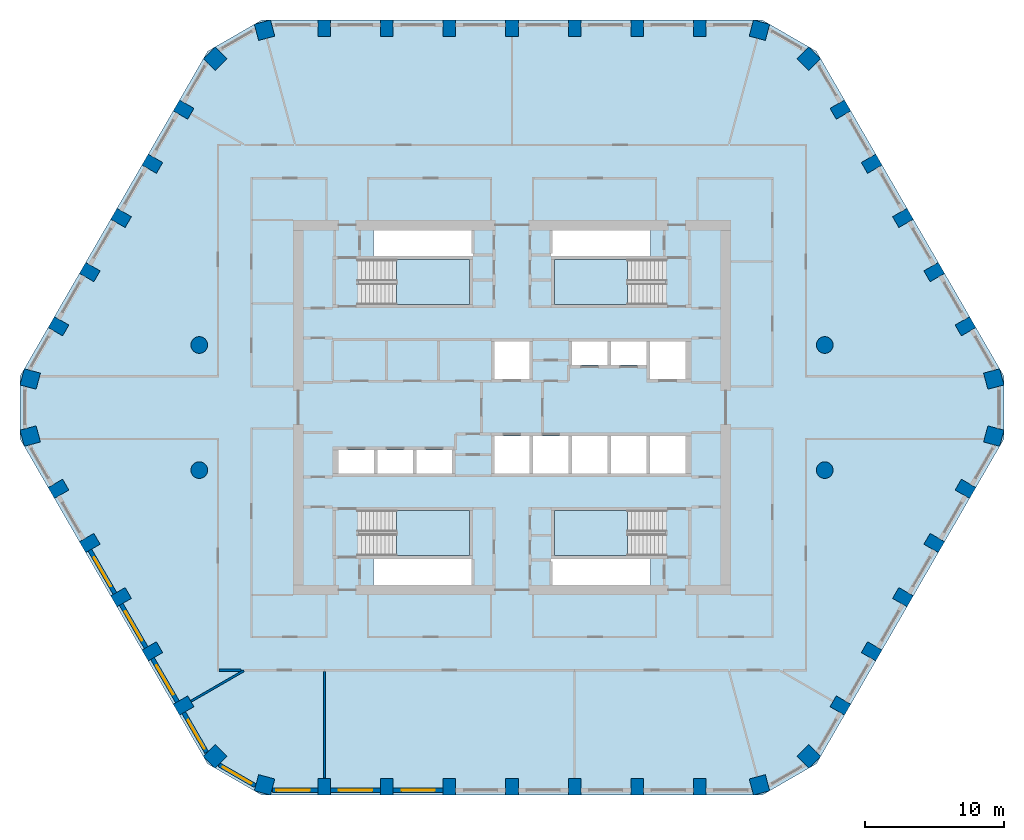
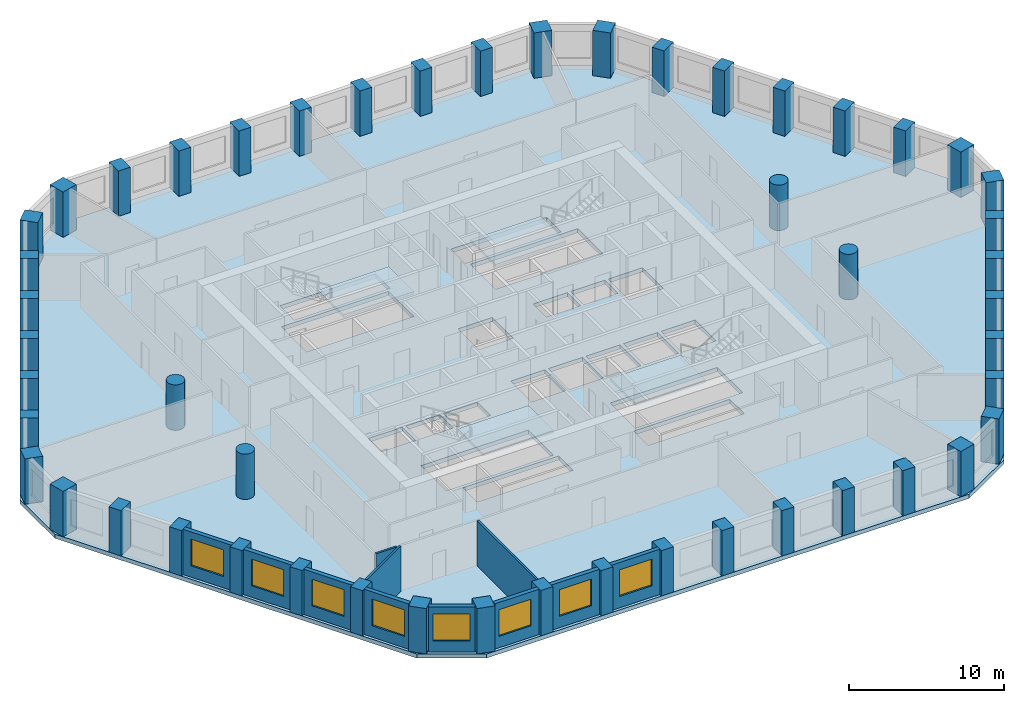
# One storey, part 1 of 10: 50 columns, 11 walls, 8 windows, 5 slabs, 8 openings, 4 elements without a shape of their own.
"""IFC4 building model written with IfcOpenShell, lengths in metres."""

from ifc_helpers import new_model, si_unit, direction, frame, frame_2d, origin, origin_2d, place, context, subcontext, project, spatial, polyline, rectangle, circle, outline, extrude, material, layer, layer_set, material_profile, profile_set, type_object, element, fill, aggregate, save


model = new_model("IFC4")

# Units and contexts
model_context = context("Model", 3, precision=1e-05, world=origin(), true_north=direction((0.0, 1.0)))
body_context = subcontext(model_context, "Body", "Model", "MODEL_VIEW")
ifc_project = project(units=[si_unit("LENGTHUNIT", "METRE"), si_unit("AREAUNIT", "SQUARE_METRE"), si_unit("VOLUMEUNIT", "CUBIC_METRE"), si_unit("PLANEANGLEUNIT", "RADIAN"), si_unit("MASSUNIT", "GRAM", prefix="KILO")], contexts=[model_context])

# Site, building, storey
site_placement = place(None, origin())
site = spatial("IfcSite", under=ifc_project, at=site_placement, CompositionType="ELEMENT")
building_placement = place(site_placement, origin())
building = spatial("IfcBuilding", under=site, at=building_placement, Name="Dhurran Vertical Campus", CompositionType="ELEMENT")
storey_placement = place(building_placement, frame((0.0, 0.0, 144.300048828125)))
storey = spatial("IfcBuildingStorey", under=building, at=storey_placement, Name="L35", CompositionType="ELEMENT", Elevation=144.300048828125)

# Columns
ifc_material_1 = material(Name="Concrete C60/75", Category="concrete")
ifc_material_profile_1 = material_profile(ifc_material_1, rectangle(XDim=1.199951171875, YDim=1.199951171875, at=origin_2d()), Name="RC 1200x1200")
ifc_profile_set_1 = profile_set([ifc_material_profile_1], Name="Concrete C60/75")
column_type_1 = type_object("IfcColumnType", Name="FR COL RC 1200x1200 C60/75", PredefinedType="COLUMN", material=ifc_profile_set_1)
for number, where, z_axis, x_axis, name in (
    (1, (-17.802978515625, -27.147705078125, 0.0), (0.0, 0.0, 1.0), (0.965925826289, -0.258819045103, 0.0), "Perimeter pier PP3.00"),
    (2, (17.802978515625, -27.147705078125, 0.0), (0.0, 0.0, 1.0), (0.965925826289, 0.258819045103, 0.0), "Perimeter pier PP3.08"),
    (3, (21.359130859375, -25.0947265625, 0.0), (0.0, 0.0, 1.0), (0.707106781187, 0.707106781187, 0.0), "Perimeter pier PP3.09"),
    (4, (34.662353515625, -2.052978515625, 0.0), (0.0, 0.0, 1.0), (0.258819045103, 0.965925826289, 0.0), "Perimeter pier PP3.15"),
    (5, (34.662353515625, 2.052978515625, 0.0), (0.0, 0.0, 1.0), (-0.258819045103, 0.965925826289, 0.0), "Perimeter pier PP3.16"),
    (6, (21.359130859375, 25.0947265625, 0.0), (0.0, 0.0, 1.0), (-0.707106781187, 0.707106781187, 0.0), "Perimeter pier PP3.22"),
    (7, (17.802978515625, 27.147705078125, 0.0), (0.0, 0.0, 1.0), (-0.965925826289, 0.258819045103, 0.0), "Perimeter pier PP3.23"),
    (8, (-17.802978515625, 27.147705078125, 0.0), (0.0, 0.0, 1.0), (-0.965925826289, -0.258819045103, 0.0), "Perimeter pier PP3.31"),
    (9, (-21.359130859375, 25.0947265625, 0.0), (0.0, 0.0, 1.0), (-0.707106781187, -0.707106781187, 0.0), "Perimeter pier PP3.32"),
    (10, (-34.662353515625, 2.052978515625, 0.0), (0.0, 0.0, 1.0), (-0.258819045103, -0.965925826289, 0.0), "Perimeter pier PP3.38"),
    (11, (-34.662353515625, -2.052978515625, 0.0), (0.0, 0.0, 1.0), (0.258819045103, -0.965925826289, 0.0), "Perimeter pier PP3.39"),
    (12, (-21.359130859375, -25.0947265625, 0.0), (0.0, 0.0, 1.0), (0.707106781187, -0.707106781187, 0.0), "Perimeter pier PP3.45"),
):
    element("IfcColumn", number, at=place(storey_placement, frame(where, z_axis=z_axis, x_axis=x_axis)), inside=storey, type_object=column_type_1, Name=name, PredefinedType="COLUMN", context=body_context, shape_type="SweptSolid", body=[
        extrude(rectangle(XDim=1.199951171875, YDim=1.199951171875, at=origin_2d()), origin(), (0.0, 0.0, 1.0), 3.574951171875),
    ])
ifc_material_2 = material(Name="Concrete C60/75", Category="concrete")
ifc_material_profile_2 = material_profile(ifc_material_2, rectangle(XDim=0.89990234375, YDim=1.199951171875, at=origin_2d()), Name="RC 900x1200")
ifc_profile_set_2 = profile_set([ifc_material_profile_2], Name="Concrete C60/75")
column_type_2 = type_object("IfcColumnType", Name="FR COL RC 900x1200 C60/75", PredefinedType="COLUMN", material=ifc_profile_set_2)
for number, where, z_axis, x_axis, name in (
    (13, (-13.5, -27.28271484375, 0.0), (0.0, 0.0, 1.0), (1.0, 0.0, 0.0), "Perimeter pier PP3.01"),
    (14, (-9.0, -27.28271484375, 0.0), (0.0, 0.0, 1.0), (1.0, 0.0, 0.0), "Perimeter pier PP3.02"),
    (15, (-4.5, -27.28271484375, 0.0), (0.0, 0.0, 1.0), (1.0, 0.0, 0.0), "Perimeter pier PP3.03"),
    (16, (0.0, -27.28271484375, 0.0), (0.0, 0.0, 1.0), (1.0, 0.0, 0.0), "Perimeter pier PP3.04"),
    (17, (4.5, -27.28271484375, 0.0), (0.0, 0.0, 1.0), (1.0, 0.0, 0.0), "Perimeter pier PP3.05"),
    (18, (9.0, -27.28271484375, 0.0), (0.0, 0.0, 1.0), (1.0, 0.0, 0.0), "Perimeter pier PP3.06"),
    (19, (13.5, -27.28271484375, 0.0), (0.0, 0.0, 1.0), (1.0, 0.0, 0.0), "Perimeter pier PP3.07"),
    (20, (23.62744140625, -21.435546875, 0.0), (0.0, 0.0, 1.0), (0.5, 0.866025403784, 0.0), "Perimeter pier PP3.10"),
    (21, (25.87744140625, -17.53857421875, 0.0), (0.0, 0.0, 1.0), (0.5, 0.866025403784, 0.0), "Perimeter pier PP3.11"),
    (22, (28.12744140625, -13.641357421875, 0.0), (0.0, 0.0, 1.0), (0.5, 0.866025403784, 0.0), "Perimeter pier PP3.12"),
    (23, (30.37744140625, -9.744140625, 0.0), (0.0, 0.0, 1.0), (0.5, 0.866025403784, 0.0), "Perimeter pier PP3.13"),
    (24, (32.62744140625, -5.84716796875, 0.0), (0.0, 0.0, 1.0), (0.5, 0.866025403784, 0.0), "Perimeter pier PP3.14"),
    (25, (32.62744140625, 5.84716796875, 0.0), (0.0, 0.0, 1.0), (-0.5, 0.866025403784, 0.0), "Perimeter pier PP3.17"),
    (26, (30.37744140625, 9.744140625, 0.0), (0.0, 0.0, 1.0), (-0.5, 0.866025403784, 0.0), "Perimeter pier PP3.18"),
    (27, (28.12744140625, 13.641357421875, 0.0), (0.0, 0.0, 1.0), (-0.5, 0.866025403784, 0.0), "Perimeter pier PP3.19"),
    (28, (25.87744140625, 17.53857421875, 0.0), (0.0, 0.0, 1.0), (-0.5, 0.866025403784, 0.0), "Perimeter pier PP3.20"),
    (29, (23.62744140625, 21.435546875, 0.0), (0.0, 0.0, 1.0), (-0.5, 0.866025403784, 0.0), "Perimeter pier PP3.21"),
    (30, (13.5, 27.28271484375, 0.0), (0.0, 0.0, 1.0), (-1.0, 0.0, 0.0), "Perimeter pier PP3.24"),
    (31, (9.0, 27.28271484375, 0.0), (0.0, 0.0, 1.0), (-1.0, 0.0, 0.0), "Perimeter pier PP3.25"),
    (32, (4.5, 27.28271484375, 0.0), (0.0, 0.0, 1.0), (-1.0, 0.0, 0.0), "Perimeter pier PP3.26"),
    (33, (0.0, 27.28271484375, 0.0), (0.0, 0.0, 1.0), (-1.0, 0.0, 0.0), "Perimeter pier PP3.27"),
    (34, (-4.5, 27.28271484375, 0.0), (0.0, 0.0, 1.0), (-1.0, 0.0, 0.0), "Perimeter pier PP3.28"),
    (35, (-9.0, 27.28271484375, 0.0), (0.0, 0.0, 1.0), (-1.0, 0.0, 0.0), "Perimeter pier PP3.29"),
    (36, (-13.5, 27.28271484375, 0.0), (0.0, 0.0, 1.0), (-1.0, 0.0, 0.0), "Perimeter pier PP3.30"),
    (37, (-23.62744140625, 21.435546875, 0.0), (0.0, 0.0, 1.0), (-0.5, -0.866025403784, 0.0), "Perimeter pier PP3.33"),
    (38, (-25.87744140625, 17.53857421875, 0.0), (0.0, 0.0, 1.0), (-0.5, -0.866025403784, 0.0), "Perimeter pier PP3.34"),
    (39, (-28.12744140625, 13.641357421875, 0.0), (0.0, 0.0, 1.0), (-0.5, -0.866025403784, 0.0), "Perimeter pier PP3.35"),
    (40, (-30.37744140625, 9.744140625, 0.0), (0.0, 0.0, 1.0), (-0.5, -0.866025403784, 0.0), "Perimeter pier PP3.36"),
    (41, (-32.62744140625, 5.84716796875, 0.0), (0.0, 0.0, 1.0), (-0.5, -0.866025403784, 0.0), "Perimeter pier PP3.37"),
    (42, (-32.62744140625, -5.84716796875, 0.0), (0.0, 0.0, 1.0), (0.5, -0.866025403784, 0.0), "Perimeter pier PP3.40"),
    (43, (-30.37744140625, -9.744140625, 0.0), (0.0, 0.0, 1.0), (0.5, -0.866025403784, 0.0), "Perimeter pier PP3.41"),
    (44, (-28.12744140625, -13.641357421875, 0.0), (0.0, 0.0, 1.0), (0.5, -0.866025403784, 0.0), "Perimeter pier PP3.42"),
    (45, (-25.87744140625, -17.53857421875, 0.0), (0.0, 0.0, 1.0), (0.5, -0.866025403784, 0.0), "Perimeter pier PP3.43"),
    (46, (-23.62744140625, -21.435546875, 0.0), (0.0, 0.0, 1.0), (0.5, -0.866025403784, 0.0), "Perimeter pier PP3.44"),
):
    element("IfcColumn", number, at=place(storey_placement, frame(where, z_axis=z_axis, x_axis=x_axis)), inside=storey, type_object=column_type_2, Name=name, PredefinedType="COLUMN", context=body_context, shape_type="SweptSolid", body=[
        extrude(rectangle(XDim=0.89990234375, YDim=1.199951171875, at=origin_2d()), origin(), (0.0, 0.0, 1.0), 3.574951171875),
    ])
ifc_material_3 = material(Name="Concrete C60/75", Category="concrete")
ifc_material_profile_3 = material_profile(ifc_material_3, circle(Radius=0.60009765625, at=origin_2d()), Name="RCC D1200")
ifc_profile_set_3 = profile_set([ifc_material_profile_3], Name="Concrete C60/75")
column_type_3 = type_object("IfcColumnType", Name="FR COL RCC D1200 C60/75", PredefinedType="COLUMN", material=ifc_profile_set_3)
for number, where, z_axis, x_axis, name in (
    (47, (-22.5, -4.5, 0.0), (0.0, 0.0, 1.0), (1.0, 0.0, 0.0), "Inner column IC3-D5"),
    (48, (-22.5, 4.5, 0.0), (0.0, 0.0, 1.0), (1.0, 0.0, 0.0), "Inner column IC3-D6"),
    (49, (22.5, -4.5, 0.0), (0.0, 0.0, 1.0), (1.0, 0.0, 0.0), "Inner column IC3-J5"),
    (50, (22.5, 4.5, 0.0), (0.0, 0.0, 1.0), (1.0, 0.0, 0.0), "Inner column IC3-J6"),
):
    element("IfcColumn", number, at=place(storey_placement, frame(where, z_axis=z_axis, x_axis=x_axis)), inside=storey, type_object=column_type_3, Name=name, PredefinedType="COLUMN", context=body_context, shape_type="SweptSolid", body=[
        extrude(circle(Radius=0.60009765625, at=origin_2d()), origin(), (0.0, 0.0, 1.0), 3.574951171875),
    ])

# Slab
ifc_material_4 = material(Name="Concrete C40/50", Category="concrete")
ifc_layer_1 = layer(ifc_material_4, 0.324951171875)
ifc_layer_set_1 = layer_set([ifc_layer_1], Name="Concrete C40/50")
slab_type_1 = type_object("IfcSlabType", Name="FR POST-TENSIONED FLAT SLAB 325", PredefinedType="FLOOR", material=ifc_layer_set_1)
slab_1_placement = place(storey_placement, frame((0.0, 0.0, -0.324951171875)))
element("IfcSlab", 51, at=slab_1_placement, inside=storey, type_object=slab_type_1, Name="Floor slab L35", PredefinedType="FLOOR", context=body_context, shape_type="SweptSolid", body=[
    extrude(outline(polyline([(-18.0, -27.8828125), (18.0, -27.8828125), (21.897216796875, -25.6328125), (35.397216796875, -2.25), (35.397216796875, 2.25), (21.897216796875, 25.6328125), (18.0, 27.8828125), (-18.0, 27.8828125), (-21.897216796875, 25.6328125), (-35.397216796875, 2.25), (-35.397216796875, -2.25), (-21.897216796875, -25.6328125), (-18.0, -27.8828125)]), holes=[polyline([(-1.27490234375, 2.050048828125), (1.27490234375, 2.050048828125), (1.27490234375, 4.75), (-1.27490234375, 4.75), (-1.27490234375, 2.050048828125)]), polyline([(9.925048828125, 2.050048828125), (12.47509765625, 2.050048828125), (12.47509765625, 4.75), (9.925048828125, 4.75), (9.925048828125, 2.050048828125)]), polyline([(-1.27490234375, -4.75), (1.27490234375, -4.75), (1.27490234375, -2.050048828125), (-1.27490234375, -2.050048828125), (-1.27490234375, -4.75)]), polyline([(1.52490234375, -4.75), (4.074951171875, -4.75), (4.074951171875, -2.050048828125), (1.52490234375, -2.050048828125), (1.52490234375, -4.75)]), polyline([(4.324951171875, -4.75), (6.875, -4.75), (6.875, -2.050048828125), (4.324951171875, -2.050048828125), (4.324951171875, -4.75)]), polyline([(7.125, -4.75), (9.675048828125, -4.75), (9.675048828125, -2.050048828125), (7.125, -2.050048828125), (7.125, -4.75)]), polyline([(9.925048828125, -4.75), (12.47509765625, -4.75), (12.47509765625, -2.050048828125), (9.925048828125, -2.050048828125), (9.925048828125, -4.75)]), polyline([(4.324951171875, 3.050048828125), (6.875, 3.050048828125), (6.875, 4.75), (4.324951171875, 4.75), (4.324951171875, 3.050048828125)]), polyline([(7.125, 3.050048828125), (9.675048828125, 3.050048828125), (9.675048828125, 4.75), (7.125, 4.75), (7.125, 3.050048828125)]), polyline([(-12.47509765625, -4.75), (-9.925048828125, -4.75), (-9.925048828125, -3.050048828125), (-12.47509765625, -3.050048828125), (-12.47509765625, -4.75)]), polyline([(-9.675048828125, -4.75), (-7.125, -4.75), (-7.125, -3.050048828125), (-9.675048828125, -3.050048828125), (-9.675048828125, -4.75)]), polyline([(-6.875, -4.75), (-4.324951171875, -4.75), (-4.324951171875, -3.050048828125), (-6.875, -3.050048828125), (-6.875, -4.75)]), polyline([(-11.050048828125, 7.39990234375), (-3.050048828125, 7.39990234375), (-3.050048828125, 10.64990234375), (-11.050048828125, 10.64990234375), (-11.050048828125, 7.39990234375)]), polyline([(3.050048828125, 7.39990234375), (11.050048828125, 7.39990234375), (11.050048828125, 10.64990234375), (3.050048828125, 10.64990234375), (3.050048828125, 7.39990234375)]), polyline([(-11.050048828125, -10.64990234375), (-3.050048828125, -10.64990234375), (-3.050048828125, -7.39990234375), (-11.050048828125, -7.39990234375), (-11.050048828125, -10.64990234375)]), polyline([(3.050048828125, -10.64990234375), (11.050048828125, -10.64990234375), (11.050048828125, -7.39990234375), (3.050048828125, -7.39990234375), (3.050048828125, -10.64990234375)]), polyline([(-9.949951171875, 10.89990234375), (-9.949951171875, 12.75), (-2.800048828125, 12.75), (-2.800048828125, 10.89990234375), (-9.949951171875, 10.89990234375)]), polyline([(9.949951171875, 12.75), (9.949951171875, 10.89990234375), (2.800048828125, 10.89990234375), (2.800048828125, 12.75), (9.949951171875, 12.75)]), polyline([(-9.949951171875, -12.75), (-9.949951171875, -10.89990234375), (-2.800048828125, -10.89990234375), (-2.800048828125, -12.75), (-9.949951171875, -12.75)]), polyline([(9.949951171875, -10.89990234375), (9.949951171875, -12.75), (2.800048828125, -12.75), (2.800048828125, -10.89990234375), (9.949951171875, -10.89990234375)])]), origin(), (0.0, 0.0, 1.0), 0.324951171875),
])

# Stair, slab
ifc_material_5 = material(Name="Concrete C40/50", Category="concrete")
stair_type = type_object("IfcStairType", Name="co-ST-CORE", PredefinedType="HALF_TURN_STAIR", material=ifc_material_5)
stair_1_placement = place(storey_placement, origin())
stair_1 = element("IfcStair", 52, at=stair_1_placement, inside=storey, type_object=stair_type, Name="L35 Protected exit stair ST1", PredefinedType="HALF_TURN_STAIR")
ifc_material_6 = material(Name="Concrete C40/50", Category="concrete")
ifc_layer_2 = layer(ifc_material_6, 0.199951171875)
ifc_layer_set_2 = layer_set([ifc_layer_2], Name="Concrete C40/50")
slab_type_2 = type_object("IfcSlabType", Name="co-SL-LANDING", PredefinedType="LANDING", material=ifc_layer_set_2)
slab_2_placement = place(storey_placement, frame((0.0, 0.0, 1.75)))
slab_2 = element("IfcSlab", 53, at=slab_2_placement, type_object=slab_type_2, Name="ST1 landing 1", PredefinedType="LANDING", context=body_context, shape_type="SweptSolid", body=[
    extrude(outline(polyline([(-8.300048828125, 7.39990234375), (-3.050048828125, 7.39990234375), (-3.050048828125, 10.64990234375), (-8.300048828125, 10.64990234375), (-8.300048828125, 7.39990234375)])), origin(), (0.0, 0.0, 1.0), 0.199951171875),
])
aggregate(stair_1, [slab_2])

stair_2_placement = place(storey_placement, origin())
stair_2 = element("IfcStair", 54, at=stair_2_placement, inside=storey, type_object=stair_type, Name="L35 Protected exit stair ST2", PredefinedType="HALF_TURN_STAIR")
slab_3_placement = place(storey_placement, frame((0.0, 0.0, 1.75)))
slab_3 = element("IfcSlab", 55, at=slab_3_placement, type_object=slab_type_2, Name="ST2 landing 1", PredefinedType="LANDING", context=body_context, shape_type="SweptSolid", body=[
    extrude(outline(polyline([(8.300048828125, 10.64990234375), (3.050048828125, 10.64990234375), (3.050048828125, 7.39990234375), (8.300048828125, 7.39990234375), (8.300048828125, 10.64990234375)])), origin(), (0.0, 0.0, 1.0), 0.199951171875),
])
aggregate(stair_2, [slab_3])

stair_3_placement = place(storey_placement, origin())
stair_3 = element("IfcStair", 56, at=stair_3_placement, inside=storey, type_object=stair_type, Name="L35 Protected exit stair ST3", PredefinedType="HALF_TURN_STAIR")
slab_4_placement = place(storey_placement, frame((0.0, 0.0, 1.75)))
slab_4 = element("IfcSlab", 57, at=slab_4_placement, type_object=slab_type_2, Name="ST3 landing 1", PredefinedType="LANDING", context=body_context, shape_type="SweptSolid", body=[
    extrude(outline(polyline([(-8.300048828125, -10.64990234375), (-3.050048828125, -10.64990234375), (-3.050048828125, -7.39990234375), (-8.300048828125, -7.39990234375), (-8.300048828125, -10.64990234375)])), origin(), (0.0, 0.0, 1.0), 0.199951171875),
])
aggregate(stair_3, [slab_4])

stair_4_placement = place(storey_placement, origin())
stair_4 = element("IfcStair", 58, at=stair_4_placement, inside=storey, type_object=stair_type, Name="L35 Protected exit stair ST4", PredefinedType="HALF_TURN_STAIR")
slab_5_placement = place(storey_placement, frame((0.0, 0.0, 1.75)))
slab_5 = element("IfcSlab", 59, at=slab_5_placement, type_object=slab_type_2, Name="ST4 landing 1", PredefinedType="LANDING", context=body_context, shape_type="SweptSolid", body=[
    extrude(outline(polyline([(8.300048828125, -7.39990234375), (3.050048828125, -7.39990234375), (3.050048828125, -10.64990234375), (8.300048828125, -10.64990234375), (8.300048828125, -7.39990234375)])), origin(), (0.0, 0.0, 1.0), 0.199951171875),
])
aggregate(stair_4, [slab_5])

# Wall, opening, window
ifc_material_7 = material(Name="Precast concrete C50/60", Category="concrete")
ifc_layer_3 = layer(ifc_material_7, 0.300048828125)
ifc_layer_set_3 = layer_set([ifc_layer_3], Name="Precast concrete C50/60")
wall_type_1 = type_object("IfcWallType", Name="Precast spandrel wall 300", PredefinedType="SOLIDWALL", material=ifc_layer_set_3)
wall_1_placement = place(storey_placement, frame((-17.24462890625, -27.53271484375, 0.0), z_axis=(0.0, 0.0, 1.0), x_axis=(1.0, 0.0, 0.0)))
wall_1 = element("IfcWall", 60, at=wall_1_placement, inside=storey, type_object=wall_type_1, Name="EW1 L35.00", PredefinedType="SOLIDWALL", context=body_context, shape_type="SweptSolid", body=[
    extrude(rectangle(XDim=3.294189453125, YDim=0.300048828125, at=frame_2d((1.64697265625, 0.0))), origin(), (0.0, 0.0, 1.0), 3.574951171875),
])
opening_1_placement = place(wall_1_placement, frame((0.294677734375, 0.0, 0.89990234375)))
opening_1 = element("IfcOpeningElement", 61, at=opening_1_placement, cuts=wall_1, Name="Opening WT1", PredefinedType="OPENING", context=body_context, shape_type="SweptSolid", body=[
    extrude(rectangle(XDim=2.39990234375, YDim=2.10009765625, at=frame_2d((1.199951171875, 1.050048828125))), frame((0.0, 0.159912109375, 0.0), z_axis=(0.0, -1.0, 0.0), x_axis=(1.0, 0.0, 0.0)), (0.0, 0.0, 1.0), 0.320068359375),
])
ifc_material_8 = material(Name="Aluminium frame with solar-control glass", Category="aluminium")
window_type = type_object("IfcWindowType", Name="Punched window 2400 x 2100", PartitioningType="SINGLE_PANEL", PredefinedType="WINDOW", material=ifc_material_8)
window_1_placement = place(opening_1_placement, origin())
window_1 = element("IfcWindow", 62, at=window_1_placement, inside=storey, type_object=window_type, Name="WT1 L35.00", OverallHeight=2.10009765625, OverallWidth=2.39990234375, PartitioningType="SINGLE_PANEL", PredefinedType="WINDOW", context=body_context, shape_type="SweptSolid", body=[
    extrude(rectangle(XDim=2.39990234375, YDim=2.10009765625, at=frame_2d((1.199951171875, 1.050048828125))), frame((0.0, 0.030029296875, 0.0), z_axis=(0.0, -1.0, 0.0), x_axis=(1.0, 0.0, 0.0)), (0.0, 0.0, 1.0), 0.06005859375),
])
fill(opening_1, window_1)

wall_2_placement = place(storey_placement, frame((-13.049560546875, -27.53271484375, 0.0), z_axis=(0.0, 0.0, 1.0), x_axis=(1.0, 0.0, 0.0)))
wall_2 = element("IfcWall", 63, at=wall_2_placement, inside=storey, type_object=wall_type_1, Name="EW1 L35.01", PredefinedType="SOLIDWALL", context=body_context, shape_type="SweptSolid", body=[
    extrude(rectangle(XDim=3.59912109375, YDim=0.300048828125, at=frame_2d((1.799560546875, 0.0))), origin(), (0.0, 0.0, 1.0), 3.574951171875),
])
opening_2_placement = place(wall_2_placement, frame((0.599609375, 0.0, 0.89990234375)))
opening_2 = element("IfcOpeningElement", 64, at=opening_2_placement, cuts=wall_2, Name="Opening WT1", PredefinedType="OPENING", context=body_context, shape_type="SweptSolid", body=[
    extrude(rectangle(XDim=2.39990234375, YDim=2.10009765625, at=frame_2d((1.199951171875, 1.050048828125))), frame((0.0, 0.159912109375, 0.0), z_axis=(0.0, -1.0, 0.0), x_axis=(1.0, 0.0, 0.0)), (0.0, 0.0, 1.0), 0.320068359375),
])
window_2_placement = place(opening_2_placement, origin())
window_2 = element("IfcWindow", 65, at=window_2_placement, inside=storey, type_object=window_type, Name="WT1 L35.01", OverallHeight=2.10009765625, OverallWidth=2.39990234375, PartitioningType="SINGLE_PANEL", PredefinedType="WINDOW", context=body_context, shape_type="SweptSolid", body=[
    extrude(rectangle(XDim=2.39990234375, YDim=2.10009765625, at=frame_2d((1.199951171875, 1.050048828125))), frame((0.0, 0.030029296875, 0.0), z_axis=(0.0, -1.0, 0.0), x_axis=(1.0, 0.0, 0.0)), (0.0, 0.0, 1.0), 0.06005859375),
])
fill(opening_2, window_2)

wall_3_placement = place(storey_placement, frame((-8.549560546875, -27.53271484375, 0.0), z_axis=(0.0, 0.0, 1.0), x_axis=(1.0, 0.0, 0.0)))
wall_3 = element("IfcWall", 66, at=wall_3_placement, inside=storey, type_object=wall_type_1, Name="EW1 L35.02", PredefinedType="SOLIDWALL", context=body_context, shape_type="SweptSolid", body=[
    extrude(rectangle(XDim=3.59912109375, YDim=0.300048828125, at=frame_2d((1.799560546875, 0.0))), origin(), (0.0, 0.0, 1.0), 3.574951171875),
])
opening_3_placement = place(wall_3_placement, frame((0.599609375, 0.0, 0.89990234375)))
opening_3 = element("IfcOpeningElement", 67, at=opening_3_placement, cuts=wall_3, Name="Opening WT1", PredefinedType="OPENING", context=body_context, shape_type="SweptSolid", body=[
    extrude(rectangle(XDim=2.39990234375, YDim=2.10009765625, at=frame_2d((1.199951171875, 1.050048828125))), frame((0.0, 0.159912109375, 0.0), z_axis=(0.0, -1.0, 0.0), x_axis=(1.0, 0.0, 0.0)), (0.0, 0.0, 1.0), 0.320068359375),
])
window_3_placement = place(opening_3_placement, origin())
window_3 = element("IfcWindow", 68, at=window_3_placement, inside=storey, type_object=window_type, Name="WT1 L35.02", OverallHeight=2.10009765625, OverallWidth=2.39990234375, PartitioningType="SINGLE_PANEL", PredefinedType="WINDOW", context=body_context, shape_type="SweptSolid", body=[
    extrude(rectangle(XDim=2.39990234375, YDim=2.10009765625, at=frame_2d((1.199951171875, 1.050048828125))), frame((0.0, 0.030029296875, 0.0), z_axis=(0.0, -1.0, 0.0), x_axis=(1.0, 0.0, 0.0)), (0.0, 0.0, 1.0), 0.06005859375),
])
fill(opening_3, window_3)

wall_4_placement = place(storey_placement, frame((-30.368896484375, -10.259521484375, 0.0), z_axis=(0.0, 0.0, 1.0), x_axis=(0.500027802648, -0.866009351323, 0.0)))
wall_4 = element("IfcWall", 69, at=wall_4_placement, inside=storey, type_object=wall_type_1, Name="EW1 L35.41", PredefinedType="SOLIDWALL", context=body_context, shape_type="SweptSolid", body=[
    extrude(rectangle(XDim=3.598876953125, YDim=0.300048828125, at=frame_2d((1.79931640625, 0.0))), origin(), (0.0, 0.0, 1.0), 3.574951171875),
])
opening_4_placement = place(wall_4_placement, frame((0.599609375, 0.0, 0.89990234375)))
opening_4 = element("IfcOpeningElement", 70, at=opening_4_placement, cuts=wall_4, Name="Opening WT1", PredefinedType="OPENING", context=body_context, shape_type="SweptSolid", body=[
    extrude(rectangle(XDim=2.39990234375, YDim=2.10009765625, at=frame_2d((1.199951171875, 1.050048828125))), frame((0.0, 0.159912109375, 0.0), z_axis=(0.0, -1.0, 0.0), x_axis=(1.0, 0.0, 0.0)), (0.0, 0.0, 1.0), 0.320068359375),
])
window_4_placement = place(opening_4_placement, origin())
window_4 = element("IfcWindow", 71, at=window_4_placement, inside=storey, type_object=window_type, Name="WT1 L35.41", OverallHeight=2.10009765625, OverallWidth=2.39990234375, PartitioningType="SINGLE_PANEL", PredefinedType="WINDOW", context=body_context, shape_type="SweptSolid", body=[
    extrude(rectangle(XDim=2.39990234375, YDim=2.10009765625, at=frame_2d((1.199951171875, 1.050048828125))), frame((0.0, 0.030029296875, 0.0), z_axis=(0.0, -1.0, 0.0), x_axis=(1.0, 0.0, 0.0)), (0.0, 0.0, 1.0), 0.06005859375),
])
fill(opening_4, window_4)

wall_5_placement = place(storey_placement, frame((-28.118896484375, -14.156494140625, 0.0), z_axis=(0.0, 0.0, 1.0), x_axis=(0.500027802648, -0.866009351323, 0.0)))
wall_5 = element("IfcWall", 72, at=wall_5_placement, inside=storey, type_object=wall_type_1, Name="EW1 L35.42", PredefinedType="SOLIDWALL", context=body_context, shape_type="SweptSolid", body=[
    extrude(rectangle(XDim=3.598876953125, YDim=0.300048828125, at=frame_2d((1.79931640625, 0.0))), origin(), (0.0, 0.0, 1.0), 3.574951171875),
])
opening_5_placement = place(wall_5_placement, frame((0.599609375, 0.0, 0.89990234375)))
opening_5 = element("IfcOpeningElement", 73, at=opening_5_placement, cuts=wall_5, Name="Opening WT1", PredefinedType="OPENING", context=body_context, shape_type="SweptSolid", body=[
    extrude(rectangle(XDim=2.39990234375, YDim=2.10009765625, at=frame_2d((1.199951171875, 1.050048828125))), frame((0.0, 0.159912109375, 0.0), z_axis=(0.0, -1.0, 0.0), x_axis=(1.0, 0.0, 0.0)), (0.0, 0.0, 1.0), 0.320068359375),
])
window_5_placement = place(opening_5_placement, origin())
window_5 = element("IfcWindow", 74, at=window_5_placement, inside=storey, type_object=window_type, Name="WT1 L35.42", OverallHeight=2.10009765625, OverallWidth=2.39990234375, PartitioningType="SINGLE_PANEL", PredefinedType="WINDOW", context=body_context, shape_type="SweptSolid", body=[
    extrude(rectangle(XDim=2.39990234375, YDim=2.10009765625, at=frame_2d((1.199951171875, 1.050048828125))), frame((0.0, 0.030029296875, 0.0), z_axis=(0.0, -1.0, 0.0), x_axis=(1.0, 0.0, 0.0)), (0.0, 0.0, 1.0), 0.06005859375),
])
fill(opening_5, window_5)

wall_6_placement = place(storey_placement, frame((-25.868896484375, -18.0537109375, 0.0), z_axis=(0.0, 0.0, 1.0), x_axis=(0.500027802648, -0.866009351323, 0.0)))
wall_6 = element("IfcWall", 75, at=wall_6_placement, inside=storey, type_object=wall_type_1, Name="EW1 L35.43", PredefinedType="SOLIDWALL", context=body_context, shape_type="SweptSolid", body=[
    extrude(rectangle(XDim=3.598876953125, YDim=0.300048828125, at=frame_2d((1.79931640625, 0.0))), origin(), (0.0, 0.0, 1.0), 3.574951171875),
])
opening_6_placement = place(wall_6_placement, frame((0.599609375, 0.0, 0.89990234375)))
opening_6 = element("IfcOpeningElement", 76, at=opening_6_placement, cuts=wall_6, Name="Opening WT1", PredefinedType="OPENING", context=body_context, shape_type="SweptSolid", body=[
    extrude(rectangle(XDim=2.39990234375, YDim=2.10009765625, at=frame_2d((1.199951171875, 1.050048828125))), frame((0.0, 0.159912109375, 0.0), z_axis=(0.0, -1.0, 0.0), x_axis=(1.0, 0.0, 0.0)), (0.0, 0.0, 1.0), 0.320068359375),
])
window_6_placement = place(opening_6_placement, origin())
window_6 = element("IfcWindow", 77, at=window_6_placement, inside=storey, type_object=window_type, Name="WT1 L35.43", OverallHeight=2.10009765625, OverallWidth=2.39990234375, PartitioningType="SINGLE_PANEL", PredefinedType="WINDOW", context=body_context, shape_type="SweptSolid", body=[
    extrude(rectangle(XDim=2.39990234375, YDim=2.10009765625, at=frame_2d((1.199951171875, 1.050048828125))), frame((0.0, 0.030029296875, 0.0), z_axis=(0.0, -1.0, 0.0), x_axis=(1.0, 0.0, 0.0)), (0.0, 0.0, 1.0), 0.06005859375),
])
fill(opening_6, window_6)

wall_7_placement = place(storey_placement, frame((-23.618896484375, -21.95068359375, 0.0), z_axis=(0.0, 0.0, 1.0), x_axis=(0.500036802197, -0.866004154983, 0.0)))
wall_7 = element("IfcWall", 78, at=wall_7_placement, inside=storey, type_object=wall_type_1, Name="EW1 L35.44", PredefinedType="SOLIDWALL", context=body_context, shape_type="SweptSolid", body=[
    extrude(rectangle(XDim=3.294189453125, YDim=0.300048828125, at=frame_2d((1.64697265625, 0.0))), origin(), (0.0, 0.0, 1.0), 3.574951171875),
])
opening_7_placement = place(wall_7_placement, frame((0.599609375, 0.0, 0.89990234375)))
opening_7 = element("IfcOpeningElement", 79, at=opening_7_placement, cuts=wall_7, Name="Opening WT1", PredefinedType="OPENING", context=body_context, shape_type="SweptSolid", body=[
    extrude(rectangle(XDim=2.39990234375, YDim=2.10009765625, at=frame_2d((1.199951171875, 1.050048828125))), frame((0.0, 0.159912109375, 0.0), z_axis=(0.0, -1.0, 0.0), x_axis=(1.0, 0.0, 0.0)), (0.0, 0.0, 1.0), 0.320068359375),
])
window_7_placement = place(opening_7_placement, origin())
window_7 = element("IfcWindow", 80, at=window_7_placement, inside=storey, type_object=window_type, Name="WT1 L35.44", OverallHeight=2.10009765625, OverallWidth=2.39990234375, PartitioningType="SINGLE_PANEL", PredefinedType="WINDOW", context=body_context, shape_type="SweptSolid", body=[
    extrude(rectangle(XDim=2.39990234375, YDim=2.10009765625, at=frame_2d((1.199951171875, 1.050048828125))), frame((0.0, 0.030029296875, 0.0), z_axis=(0.0, -1.0, 0.0), x_axis=(1.0, 0.0, 0.0)), (0.0, 0.0, 1.0), 0.06005859375),
])
fill(opening_7, window_7)

wall_8_placement = place(storey_placement, frame((-21.06787109375, -25.707275390625, 0.0), z_axis=(0.0, 0.0, 1.0), x_axis=(0.866012844897, -0.500021752, 0.0)))
wall_8 = element("IfcWall", 81, at=wall_8_placement, inside=storey, type_object=wall_type_1, Name="EW1 L35.45", PredefinedType="SOLIDWALL", context=body_context, shape_type="SweptSolid", body=[
    extrude(rectangle(XDim=2.989013671875, YDim=0.300048828125, at=frame_2d((1.49462890625, 0.0))), origin(), (0.0, 0.0, 1.0), 3.574951171875),
])
opening_8_placement = place(wall_8_placement, frame((0.294677734375, 0.0, 0.89990234375)))
opening_8 = element("IfcOpeningElement", 82, at=opening_8_placement, cuts=wall_8, Name="Opening WT1", PredefinedType="OPENING", context=body_context, shape_type="SweptSolid", body=[
    extrude(rectangle(XDim=2.39990234375, YDim=2.10009765625, at=frame_2d((1.199951171875, 1.050048828125))), frame((0.0, 0.159912109375, 0.0), z_axis=(0.0, -1.0, 0.0), x_axis=(1.0, 0.0, 0.0)), (0.0, 0.0, 1.0), 0.320068359375),
])
window_8_placement = place(opening_8_placement, origin())
window_8 = element("IfcWindow", 83, at=window_8_placement, inside=storey, type_object=window_type, Name="WT1 L35.45", OverallHeight=2.10009765625, OverallWidth=2.39990234375, PartitioningType="SINGLE_PANEL", PredefinedType="WINDOW", context=body_context, shape_type="SweptSolid", body=[
    extrude(rectangle(XDim=2.39990234375, YDim=2.10009765625, at=frame_2d((1.199951171875, 1.050048828125))), frame((0.0, 0.030029296875, 0.0), z_axis=(0.0, -1.0, 0.0), x_axis=(1.0, 0.0, 0.0)), (0.0, 0.0, 1.0), 0.06005859375),
])
fill(opening_8, window_8)

# Walls
ifc_material_9 = material(Name="Gypsum board corridor wall on steel studs", Category="steel")
ifc_layer_4 = layer(ifc_material_9, 0.14990234375)
ifc_layer_set_4 = layer_set([ifc_layer_4], Name="Gypsum board corridor wall on steel studs")
wall_type_2 = type_object("IfcWallType", Name="fl-CW-150 corridor wall", PredefinedType="PARTITIONING", material=ifc_layer_set_4)
wall_9_placement = place(storey_placement, frame((-21.074951171875, -18.89990234375, 0.0), z_axis=(0.0, 0.0, 1.0), x_axis=(1.0, 0.0, 0.0)))
element("IfcWall", 84, at=wall_9_placement, inside=storey, type_object=wall_type_2, Name="Partition 35-06", PredefinedType="PARTITIONING", context=body_context, shape_type="SweptSolid", body=[
    extrude(rectangle(XDim=1.56396484375, YDim=0.14990234375, at=frame_2d((0.781982421875, 0.0))), origin(), (0.0, 0.0, 1.0), 3.574951171875),
])
ifc_material_10 = material(Name="Folding acoustic partition panels")
ifc_layer_5 = layer(ifc_material_10, 0.14990234375)
ifc_layer_set_5 = layer_set([ifc_layer_5], Name="Folding acoustic partition panels")
wall_type_3 = type_object("IfcWallType", Name="fl-MW-150 movable partition", PredefinedType="MOVABLE", material=ifc_layer_set_5)
wall_10_placement = place(storey_placement, frame((-19.30078125, -18.9375, 0.0), z_axis=(0.0, 0.0, 1.0), x_axis=(-0.865968165673, -0.500099126214, 0.0)))
element("IfcWall", 85, at=wall_10_placement, inside=storey, type_object=wall_type_3, Name="Partition 35-03", PredefinedType="MOVABLE", context=body_context, shape_type="SweptSolid", body=[
    extrude(rectangle(XDim=4.3759765625, YDim=0.14990234375, at=frame_2d((2.18798828125, 0.0))), origin(), (0.0, 0.0, 1.0), 3.574951171875),
])
ifc_material_11 = material(Name="Gypsum board partition on steel studs", Category="steel")
ifc_layer_6 = layer(ifc_material_11, 0.14990234375)
ifc_layer_set_6 = layer_set([ifc_layer_6], Name="Gypsum board partition on steel studs")
wall_type_4 = type_object("IfcWallType", Name="fl-PW-150 fixed partition", PredefinedType="PARTITIONING", material=ifc_layer_set_6)
wall_11_placement = place(storey_placement, frame((-13.5, -18.97509765625, 0.0), z_axis=(0.0, 0.0, 1.0), x_axis=(0.0, -1.0, 0.0)))
element("IfcWall", 86, at=wall_11_placement, inside=storey, type_object=wall_type_4, Name="Partition 35-25", PredefinedType="PARTITIONING", context=body_context, shape_type="SweptSolid", body=[
    extrude(rectangle(XDim=7.6875, YDim=0.14990234375, at=frame_2d((3.84375, 0.0))), origin(), (0.0, 0.0, 1.0), 3.574951171875),
])

save(model, "model.ifc")
